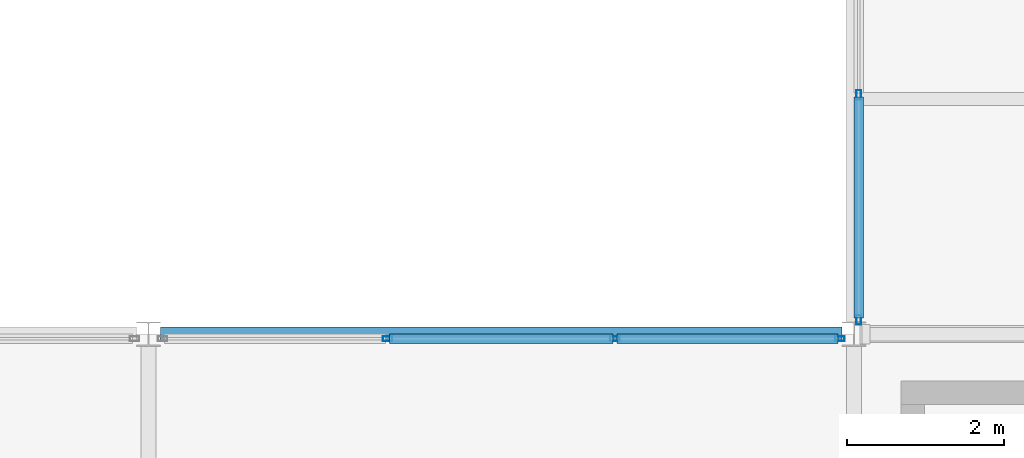
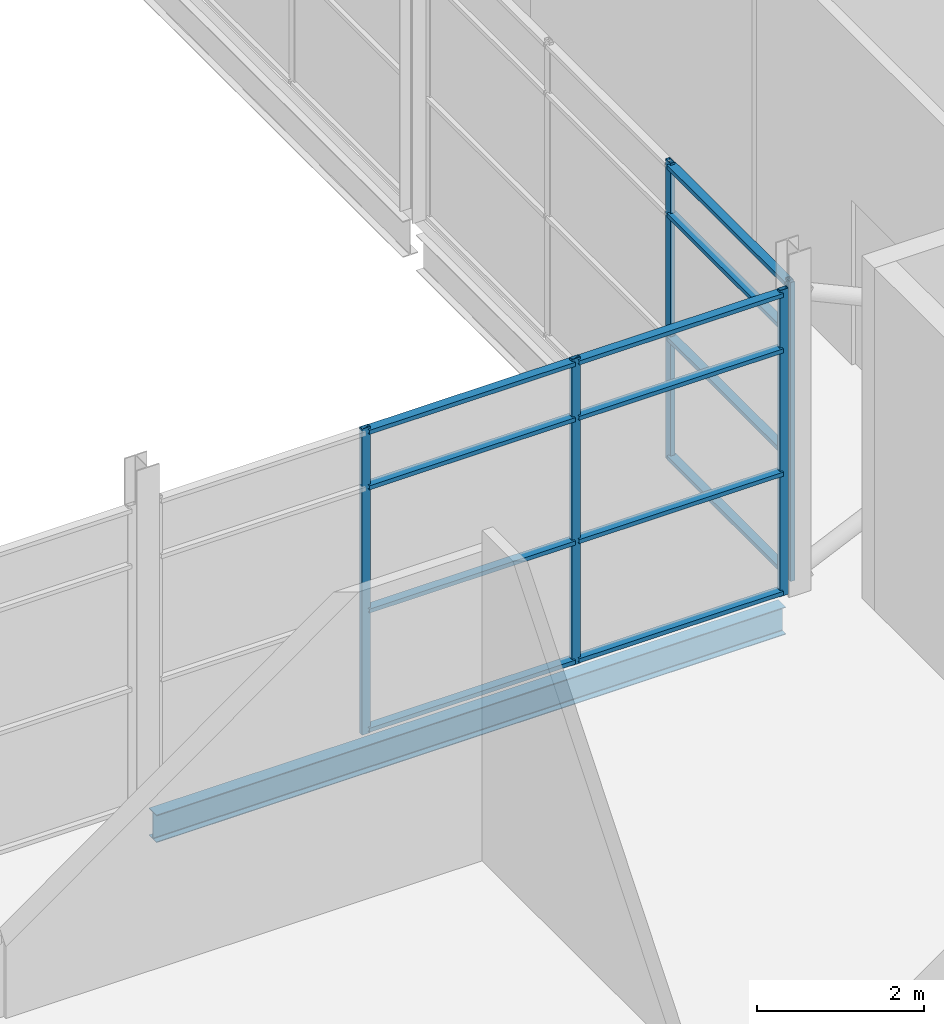
# One storey, part 35 of 61: 17 members, 1 beam, 2 elements without a shape of their own.
"""IFC4 building model written with IfcOpenShell, lengths in metres."""

import ifcopenshell
import ifcopenshell.guid

model = None  # the IFC model being written
_history = None  # IfcOwnerHistory: only IFC2X3 demands one
_inside = {}  # id of a spatial element -> (the spatial element, [elements in it])
_under = {}  # id of a project, library or spatial element -> (it, [spatial elements below it])
_declared = {}  # id of a project -> (the project, [libraries it declares])
_typed = {}  # id of a type object -> (the type object, [elements of that type])
_made_of = {}  # id of a material, layer set ... -> (it, [elements and type objects made of it])


def new_model(schema):
    """Start an empty IFC model of exactly this schema.

    Asked for "IFC4X3", IfcOpenShell would pick the latest addendum, in which some entities
    have other attributes; the version numbers below select the first issue.
    IFC2X3 requires an IfcOwnerHistory on every rooted entity: one is made here for all.
    """
    global model, _history
    if schema == "IFC4X3":
        model = ifcopenshell.file(schema_version=(4, 3, 0, 0))
    else:
        model = ifcopenshell.file(schema=schema)
    _inside.clear()
    _under.clear()
    _declared.clear()
    _typed.clear()
    _made_of.clear()
    _history = None
    if model.schema == "IFC2X3":
        org = make("IfcOrganization", Name="unknown")
        user = make(
            "IfcPersonAndOrganization",
            ThePerson=make("IfcPerson", FamilyName="unknown"),
            TheOrganization=org,
        )
        app = make(
            "IfcApplication",
            ApplicationDeveloper=org,
            Version="unknown",
            ApplicationFullName="unknown",
            ApplicationIdentifier="unknown",
        )
        _history = make(
            "IfcOwnerHistory",
            OwningUser=user,
            OwningApplication=app,
            ChangeAction="ADDED",
            CreationDate=0,
        )
    return model


def make(cls, **values):
    """One entity of the class cls with the attributes given. An attribute that is None is left unset."""
    return model.create_entity(
        cls, **{name: value for name, value in values.items() if value is not None}
    )


def rooted(cls, **values):
    """An entity with a GlobalId (a new one), such as an element, a storey or a relation."""
    return make(cls, GlobalId=ifcopenshell.guid.new(), OwnerHistory=_history, **values)


def si_unit(unit_type, name, prefix=None):
    """IfcSIUnit, for example si_unit("LENGTHUNIT", "METRE", prefix="MILLI")."""
    return make("IfcSIUnit", UnitType=unit_type, Prefix=prefix, Name=name)


def assignment(units):
    """IfcUnitAssignment: the units of a project."""
    return None if units is None else make("IfcUnitAssignment", Units=units)


def point(xyz):
    """IfcCartesianPoint."""
    return None if xyz is None else make("IfcCartesianPoint", Coordinates=xyz)


def direction(xyz):
    """IfcDirection."""
    return None if xyz is None else make("IfcDirection", DirectionRatios=xyz)


def frame(location, z_axis=None, x_axis=None):
    """IfcAxis2Placement3D, a coordinate frame: its origin and axes. An axis left out is left unset."""
    return make(
        "IfcAxis2Placement3D",
        Location=point(location),
        Axis=direction(z_axis),
        RefDirection=direction(x_axis),
    )


def frame_2d(location, x_axis=None):
    """IfcAxis2Placement2D, a coordinate frame in the plane: its origin and x axis."""
    return make(
        "IfcAxis2Placement2D", Location=point(location), RefDirection=direction(x_axis)
    )


def origin():
    """The frame at (0, 0, 0) with its axes left unset."""
    return frame((0.0, 0.0, 0.0))


def origin_2d():
    """The frame at (0, 0) in the plane with its x axis left unset."""
    return frame_2d((0.0, 0.0))


def place(relative_to, where):
    """IfcLocalPlacement: puts the frame where relative to a parent placement (None: the world)."""
    return make(
        "IfcLocalPlacement", PlacementRelTo=relative_to, RelativePlacement=where
    )


def context(
    kind, dimensions, precision=None, world=None, true_north=None, identifier=None
):
    """IfcGeometricRepresentationContext, for example the 3D "Model" context."""
    return make(
        "IfcGeometricRepresentationContext",
        ContextIdentifier=identifier,
        ContextType=kind,
        CoordinateSpaceDimension=dimensions,
        Precision=precision,
        WorldCoordinateSystem=world,
        TrueNorth=true_north,
    )


def subcontext(parent, identifier, kind, view, scale=None):
    """IfcGeometricRepresentationSubContext, for example "Body" below "Model"."""
    return make(
        "IfcGeometricRepresentationSubContext",
        ContextIdentifier=identifier,
        ContextType=kind,
        ParentContext=parent,
        TargetScale=scale,
        TargetView=view,
    )


def project(units=None, contexts=None):
    """IfcProject with its units and contexts."""
    return rooted(
        "IfcProject",
        Name="project",
        RepresentationContexts=contexts,
        UnitsInContext=assignment(units),
    )


def spatial(cls, under=None, at=None, **own):
    """A site, building, storey or space (cls), placed at a placement, below another one or the project."""
    s = rooted(cls, ObjectPlacement=at, **own)
    if under is not None:
        _under.setdefault(under.id(), (under, []))[1].append(s)
    return s


def profile(cls, at=None, kind="AREA", **sizes):
    """A parametric profile (cls). Its sizes go by their IFC names, for example OverallWidth=200.0."""
    return make(cls, ProfileType=kind, Position=at, **sizes)


def hollow_rectangle(**sizes):
    """IfcRectangleHollowProfileDef."""
    return profile("IfcRectangleHollowProfileDef", **sizes)


def i_section(**sizes):
    """IfcIShapeProfileDef."""
    return profile("IfcIShapeProfileDef", **sizes)


def extrude(swept, where, along, depth):
    """IfcExtrudedAreaSolid: the profile swept, set in the frame where, extruded along a direction by depth."""
    return make(
        "IfcExtrudedAreaSolid",
        SweptArea=swept,
        Position=where,
        ExtrudedDirection=direction(along),
        Depth=depth,
    )


def shape(context_of_items, identifier, shape_type, items):
    """IfcShapeRepresentation: the items that make up one representation, for example the "Body"."""
    return make(
        "IfcShapeRepresentation",
        ContextOfItems=context_of_items,
        RepresentationIdentifier=identifier,
        RepresentationType=shape_type,
        Items=items,
    )


def material(Name=None, Category=None):
    """IfcMaterial."""
    return make("IfcMaterial", Name=Name, Category=Category)


def layer(
    of_material, thickness, ventilated=None, Name=None, Category=None, Priority=None
):
    """IfcMaterialLayer: one layer of a wall or slab, of a material (None: an air gap)."""
    return make(
        "IfcMaterialLayer",
        Material=of_material,
        LayerThickness=thickness,
        IsVentilated=ventilated,
        Name=Name,
        Category=Category,
        Priority=Priority,
    )


def layer_set(layers, Name=None):
    """IfcMaterialLayerSet."""
    return make("IfcMaterialLayerSet", MaterialLayers=layers, LayerSetName=Name)


def material_profile(
    of_material, cross_section, Name=None, Category=None, Priority=None
):
    """IfcMaterialProfile: a cross section and its material."""
    return make(
        "IfcMaterialProfile",
        Name=Name,
        Material=of_material,
        Profile=cross_section,
        Priority=Priority,
        Category=Category,
    )


def profile_set(profiles, Name=None, composite=None):
    """IfcMaterialProfileSet."""
    return make(
        "IfcMaterialProfileSet",
        Name=Name,
        MaterialProfiles=profiles,
        CompositeProfile=composite,
    )


def made_of(thing, what):
    """Note that an element or type object is made of a material, layer set ...; save() writes the relation."""
    if what is not None:
        _made_of.setdefault(what.id(), (what, []))[1].append(thing)
    return thing


def type_object(cls, material=None, **own):
    """A type object (cls), such as IfcWallType, which elements share."""
    return made_of(rooted(cls, **own), material)


def element(
    cls,
    number,
    at=None,
    inside=None,
    cuts=None,
    type_object=None,
    material=None,
    context=None,
    identifier="Body",
    shape_type=None,
    held_by="IfcProductDefinitionShape",
    body=None,
    shapes=None,
    **own,
):
    """One element of the class cls, such as IfcWall. Its Tag is "e" and its number.

    at: its placement. inside: the storey or other place that contains it. cuts: it is an
    opening in that element (IfcRelVoidsElement). A single representation is given by context,
    identifier, shape_type and body (its items); several are given by shapes. held_by: the class
    of the entity that holds the representations. save() writes the other relations.
    """
    e = rooted(cls, Tag="e%d" % number, ObjectPlacement=at, **own)
    if body is not None:
        shapes = [shape(context, identifier, shape_type, body)]
    if shapes is not None:
        e.Representation = make(held_by, Representations=shapes)
    if inside is not None:
        _inside.setdefault(inside.id(), (inside, []))[1].append(e)
    if cuts is not None:
        rooted(
            "IfcRelVoidsElement", RelatingBuildingElement=cuts, RelatedOpeningElement=e
        )
    if type_object is not None:
        _typed.setdefault(type_object.id(), (type_object, []))[1].append(e)
    return made_of(e, material)


def aggregate(whole, parts):
    """IfcRelAggregates: a whole, such as a stair, and the parts it consists of."""
    return rooted("IfcRelAggregates", RelatingObject=whole, RelatedObjects=parts)


def save(model, path):
    """Write the relations noted so far, then the file.

    IfcRelAggregates (storeys below a building ...), IfcRelContainedInSpatialStructure (elements
    in a storey), IfcRelDefinesByType, IfcRelAssociatesMaterial and IfcRelDeclares: one each for
    every whole, place, type object, material and project.
    """
    for whole, parts in _under.values():
        aggregate(whole, parts)
    for where, things in _inside.values():
        rooted(
            "IfcRelContainedInSpatialStructure",
            RelatedElements=things,
            RelatingStructure=where,
        )
    for kind, things in _typed.values():
        rooted("IfcRelDefinesByType", RelatedObjects=things, RelatingType=kind)
    for what, things in _made_of.values():
        rooted("IfcRelAssociatesMaterial", RelatedObjects=things, RelatingMaterial=what)
    for by, libraries in _declared.values():
        rooted("IfcRelDeclares", RelatingContext=by, RelatedDefinitions=libraries)
    model.write(path)


model = new_model("IFC4")

# Units and contexts
model_context = context("Model", 3, precision=1e-05, world=origin(), true_north=direction((0.0, 1.0)))
body_context = subcontext(model_context, "Body", "Model", "MODEL_VIEW")
ifc_project = project(units=[si_unit("LENGTHUNIT", "METRE"), si_unit("AREAUNIT", "SQUARE_METRE"), si_unit("VOLUMEUNIT", "CUBIC_METRE"), si_unit("PLANEANGLEUNIT", "RADIAN"), si_unit("MASSUNIT", "GRAM", prefix="KILO")], contexts=[model_context])

# Site, building, storey
site_placement = place(None, origin())
site = spatial("IfcSite", under=ifc_project, at=site_placement, CompositionType="ELEMENT")
building_placement = place(site_placement, origin())
building = spatial("IfcBuilding", under=site, at=building_placement, Name="Shorebreak Coast Museum", CompositionType="ELEMENT")
storey_placement = place(building_placement, frame((0.0, 0.0, 26.0)))
storey = spatial("IfcBuildingStorey", under=building, at=storey_placement, Name="L04", CompositionType="ELEMENT", Elevation=26.0)

# Beam
ifc_material_1 = material(Name="Steel Grade 300", Category="steel")
ifc_material_profile_1 = material_profile(ifc_material_1, i_section(OverallWidth=0.177978515625, OverallDepth=0.402587890625, WebThickness=0.007568359375, FlangeThickness=0.010986328125, FilletRadius=0.011474609375, at=origin_2d()), Name="410UB53.7")
ifc_profile_set_1 = profile_set([ifc_material_profile_1], Name="Steel Grade 300")
beam_type = type_object("IfcBeamType", Name="Floor girder east-west 410UB53.7", PredefinedType="BEAM", material=ifc_profile_set_1)
beam_placement = place(storey_placement, frame((99.154541015625, 63.0, -0.376220703125), z_axis=(1.0, 0.0, 0.0), x_axis=(0.0, 1.0, 0.0)))
element("IfcBeam", 1, at=beam_placement, inside=storey, type_object=beam_type, Name="Floor girder east-west L04 12H", PredefinedType="BEAM", context=body_context, shape_type="SweptSolid", body=[
    extrude(i_section(OverallWidth=0.177978515625, OverallDepth=0.402587890625, WebThickness=0.007568359375, FlangeThickness=0.010986328125, FilletRadius=0.011474609375, at=origin_2d()), origin(), (0.0, 0.0, 1.0), 8.69091796875),
])

# Curtain wall, members
ifc_material_2 = material(Name="Aluminium", Category="aluminium")
ifc_layer = layer(ifc_material_2, 0.1201171875)
ifc_layer_set = layer_set([ifc_layer], Name="Aluminium")
curtain_wall_type = type_object("IfcCurtainWallType", Name="Atrium fire screen", PredefinedType="NOTDEFINED", material=ifc_layer_set)
curtain_wall_1_placement = place(storey_placement, origin())
curtain_wall_1 = element("IfcCurtainWall", 2, at=curtain_wall_1_placement, inside=storey, type_object=curtain_wall_type, Name="Atrium screen L04 S 53", PredefinedType="NOTDEFINED")
ifc_material_3 = material(Name="Aluminium", Category="aluminium")
ifc_material_profile_2 = material_profile(ifc_material_3, hollow_rectangle(XDim=0.06005859375, YDim=0.1201171875, WallThickness=0.00341796875, at=origin_2d()), Name="AL 120x60 RHS")
ifc_profile_set_2 = profile_set([ifc_material_profile_2], Name="Aluminium")
member_type_1 = type_object("IfcMemberType", Name="Screen mullion 50 x 120", PredefinedType="MULLION", material=ifc_profile_set_2)
member_1_placement = place(storey_placement, frame((102.05126953125, 62.93994140625, 0.0), z_axis=(0.0, 0.0, 1.0), x_axis=(0.0, 1.0, 0.0)))
member_1 = element("IfcMember", 3, at=member_1_placement, type_object=member_type_1, Name="CW6 mullion 2", PredefinedType="MULLION", context=body_context, shape_type="SweptSolid", body=[
    extrude(hollow_rectangle(XDim=0.06005859375, YDim=0.1201171875, WallThickness=0.00341796875, at=origin_2d()), origin(), (0.0, 0.0, 1.0), 4.469482421875),
])
member_2_placement = place(storey_placement, frame((104.94873046875, 62.93994140625, 0.0), z_axis=(0.0, 0.0, 1.0), x_axis=(0.0, 1.0, 0.0)))
member_2 = element("IfcMember", 4, at=member_2_placement, type_object=member_type_1, Name="CW6 mullion 3", PredefinedType="MULLION", context=body_context, shape_type="SweptSolid", body=[
    extrude(hollow_rectangle(XDim=0.06005859375, YDim=0.1201171875, WallThickness=0.00341796875, at=origin_2d()), origin(), (0.0, 0.0, 1.0), 4.469482421875),
])
member_3_placement = place(storey_placement, frame((107.821533203125, 62.93994140625, 0.0), z_axis=(0.0, 0.0, 1.0), x_axis=(0.0, 1.0, 0.0)))
member_3 = element("IfcMember", 5, at=member_3_placement, type_object=member_type_1, Name="CW6 mullion 4", PredefinedType="MULLION", context=body_context, shape_type="SweptSolid", body=[
    extrude(hollow_rectangle(XDim=0.06005859375, YDim=0.1201171875, WallThickness=0.00341796875, at=origin_2d()), origin(), (0.0, 0.0, 1.0), 4.469482421875),
])

curtain_wall_2_placement = place(storey_placement, origin())
curtain_wall_2 = element("IfcCurtainWall", 6, at=curtain_wall_2_placement, inside=storey, type_object=curtain_wall_type, Name="Atrium screen L04 E 61", PredefinedType="NOTDEFINED")
member_4_placement = place(storey_placement, frame((108.06005859375, 63.182373046875, 0.0), z_axis=(0.0, 0.0, 1.0), x_axis=(-1.0, 0.0, 0.0)))
member_4 = element("IfcMember", 7, at=member_4_placement, type_object=member_type_1, Name="CW5 mullion 1", PredefinedType="MULLION", context=body_context, shape_type="SweptSolid", body=[
    extrude(hollow_rectangle(XDim=0.06005859375, YDim=0.1201171875, WallThickness=0.00341796875, at=origin_2d()), origin(), (0.0, 0.0, 1.0), 4.364501953125),
])
member_5_placement = place(storey_placement, frame((108.06005859375, 66.052490234375, 0.0), z_axis=(0.0, 0.0, 1.0), x_axis=(-1.0, 0.0, 0.0)))
member_5 = element("IfcMember", 8, at=member_5_placement, type_object=member_type_1, Name="CW5 mullion 2", PredefinedType="MULLION", context=body_context, shape_type="SweptSolid", body=[
    extrude(hollow_rectangle(XDim=0.06005859375, YDim=0.1201171875, WallThickness=0.00341796875, at=origin_2d()), origin(), (0.0, 0.0, 1.0), 4.364501953125),
])

# Member
ifc_material_4 = material(Name="Aluminium", Category="aluminium")
ifc_material_profile_3 = material_profile(ifc_material_4, hollow_rectangle(XDim=0.1201171875, YDim=0.06005859375, WallThickness=0.00341796875, at=origin_2d()), Name="AL 60x120 RHS")
ifc_profile_set_3 = profile_set([ifc_material_profile_3], Name="Aluminium")
member_type_2 = type_object("IfcMemberType", Name="Screen transom 120 x 50", PredefinedType="USERDEFINED", material=ifc_profile_set_3)
member_6_placement = place(storey_placement, frame((102.076171875, 62.93994140625, 0.06005859375), z_axis=(1.0, 0.0, 0.0), x_axis=(0.0, 1.0, 0.0)))
member_6 = element("IfcMember", 9, at=member_6_placement, type_object=member_type_2, Name="CW6 transom 2.1", ObjectType="TRANSOM", PredefinedType="USERDEFINED", context=body_context, shape_type="SweptSolid", body=[
    extrude(hollow_rectangle(XDim=0.1201171875, YDim=0.06005859375, WallThickness=0.00341796875, at=origin_2d()), origin(), (0.0, 0.0, 1.0), 2.84765625),
])

member_7_placement = place(storey_placement, frame((102.076171875, 62.93994140625, 1.800048828125), z_axis=(1.0, 0.0, 0.0), x_axis=(0.0, 1.0, 0.0)))
member_7 = element("IfcMember", 10, at=member_7_placement, type_object=member_type_2, Name="CW6 transom 2.2", ObjectType="TRANSOM", PredefinedType="USERDEFINED", context=body_context, shape_type="SweptSolid", body=[
    extrude(hollow_rectangle(XDim=0.1201171875, YDim=0.06005859375, WallThickness=0.00341796875, at=origin_2d()), origin(), (0.0, 0.0, 1.0), 2.84765625),
])

member_8_placement = place(storey_placement, frame((102.076171875, 62.93994140625, 3.60009765625), z_axis=(1.0, 0.0, 0.0), x_axis=(0.0, 1.0, 0.0)))
member_8 = element("IfcMember", 11, at=member_8_placement, type_object=member_type_2, Name="CW6 transom 2.3", ObjectType="TRANSOM", PredefinedType="USERDEFINED", context=body_context, shape_type="SweptSolid", body=[
    extrude(hollow_rectangle(XDim=0.1201171875, YDim=0.06005859375, WallThickness=0.00341796875, at=origin_2d()), origin(), (0.0, 0.0, 1.0), 2.84765625),
])

member_9_placement = place(storey_placement, frame((102.076171875, 62.93994140625, 4.409423828125), z_axis=(1.0, 0.0, 0.0), x_axis=(0.0, 1.0, 0.0)))
member_9 = element("IfcMember", 12, at=member_9_placement, type_object=member_type_2, Name="CW6 transom 2.4", ObjectType="TRANSOM", PredefinedType="USERDEFINED", context=body_context, shape_type="SweptSolid", body=[
    extrude(hollow_rectangle(XDim=0.1201171875, YDim=0.06005859375, WallThickness=0.00341796875, at=origin_2d()), origin(), (0.0, 0.0, 1.0), 2.84765625),
])

member_10_placement = place(storey_placement, frame((104.973876953125, 62.93994140625, 0.06005859375), z_axis=(1.0, 0.0, 0.0), x_axis=(0.0, 1.0, 0.0)))
member_10 = element("IfcMember", 13, at=member_10_placement, type_object=member_type_2, Name="CW6 transom 3.1", ObjectType="TRANSOM", PredefinedType="USERDEFINED", context=body_context, shape_type="SweptSolid", body=[
    extrude(hollow_rectangle(XDim=0.1201171875, YDim=0.06005859375, WallThickness=0.00341796875, at=origin_2d()), origin(), (0.0, 0.0, 1.0), 2.822509765625),
])

member_11_placement = place(storey_placement, frame((104.973876953125, 62.93994140625, 1.800048828125), z_axis=(1.0, 0.0, 0.0), x_axis=(0.0, 1.0, 0.0)))
member_11 = element("IfcMember", 14, at=member_11_placement, type_object=member_type_2, Name="CW6 transom 3.2", ObjectType="TRANSOM", PredefinedType="USERDEFINED", context=body_context, shape_type="SweptSolid", body=[
    extrude(hollow_rectangle(XDim=0.1201171875, YDim=0.06005859375, WallThickness=0.00341796875, at=origin_2d()), origin(), (0.0, 0.0, 1.0), 2.822509765625),
])

member_12_placement = place(storey_placement, frame((104.973876953125, 62.93994140625, 3.60009765625), z_axis=(1.0, 0.0, 0.0), x_axis=(0.0, 1.0, 0.0)))
member_12 = element("IfcMember", 15, at=member_12_placement, type_object=member_type_2, Name="CW6 transom 3.3", ObjectType="TRANSOM", PredefinedType="USERDEFINED", context=body_context, shape_type="SweptSolid", body=[
    extrude(hollow_rectangle(XDim=0.1201171875, YDim=0.06005859375, WallThickness=0.00341796875, at=origin_2d()), origin(), (0.0, 0.0, 1.0), 2.822509765625),
])

member_13_placement = place(storey_placement, frame((104.973876953125, 62.93994140625, 4.409423828125), z_axis=(1.0, 0.0, 0.0), x_axis=(0.0, 1.0, 0.0)))
member_13 = element("IfcMember", 16, at=member_13_placement, type_object=member_type_2, Name="CW6 transom 3.4", ObjectType="TRANSOM", PredefinedType="USERDEFINED", context=body_context, shape_type="SweptSolid", body=[
    extrude(hollow_rectangle(XDim=0.1201171875, YDim=0.06005859375, WallThickness=0.00341796875, at=origin_2d()), origin(), (0.0, 0.0, 1.0), 2.822509765625),
])

aggregate(curtain_wall_1, [member_1, member_2, member_3, member_6, member_7, member_8, member_9, member_10, member_11, member_12, member_13])

member_14_placement = place(storey_placement, frame((108.06005859375, 63.207275390625, 0.06005859375), z_axis=(0.0, 1.0, 0.0), x_axis=(-1.0, 0.0, 0.0)))
member_14 = element("IfcMember", 17, at=member_14_placement, type_object=member_type_2, Name="CW5 transom 1.1", ObjectType="TRANSOM", PredefinedType="USERDEFINED", context=body_context, shape_type="SweptSolid", body=[
    extrude(hollow_rectangle(XDim=0.1201171875, YDim=0.06005859375, WallThickness=0.00341796875, at=origin_2d()), origin(), (0.0, 0.0, 1.0), 2.820068359375),
])

member_15_placement = place(storey_placement, frame((108.06005859375, 63.207275390625, 1.800048828125), z_axis=(0.0, 1.0, 0.0), x_axis=(-1.0, 0.0, 0.0)))
member_15 = element("IfcMember", 18, at=member_15_placement, type_object=member_type_2, Name="CW5 transom 1.2", ObjectType="TRANSOM", PredefinedType="USERDEFINED", context=body_context, shape_type="SweptSolid", body=[
    extrude(hollow_rectangle(XDim=0.1201171875, YDim=0.06005859375, WallThickness=0.00341796875, at=origin_2d()), origin(), (0.0, 0.0, 1.0), 2.820068359375),
])

member_16_placement = place(storey_placement, frame((108.06005859375, 63.207275390625, 3.60009765625), z_axis=(0.0, 1.0, 0.0), x_axis=(-1.0, 0.0, 0.0)))
member_16 = element("IfcMember", 19, at=member_16_placement, type_object=member_type_2, Name="CW5 transom 1.3", ObjectType="TRANSOM", PredefinedType="USERDEFINED", context=body_context, shape_type="SweptSolid", body=[
    extrude(hollow_rectangle(XDim=0.1201171875, YDim=0.06005859375, WallThickness=0.00341796875, at=origin_2d()), origin(), (0.0, 0.0, 1.0), 2.820068359375),
])

member_17_placement = place(storey_placement, frame((108.06005859375, 63.207275390625, 4.3046875), z_axis=(0.0, 1.0, 0.0), x_axis=(-1.0, 0.0, 0.0)))
member_17 = element("IfcMember", 20, at=member_17_placement, type_object=member_type_2, Name="CW5 transom 1.4", ObjectType="TRANSOM", PredefinedType="USERDEFINED", context=body_context, shape_type="SweptSolid", body=[
    extrude(hollow_rectangle(XDim=0.1201171875, YDim=0.06005859375, WallThickness=0.00341796875, at=origin_2d()), origin(), (0.0, 0.0, 1.0), 2.820068359375),
])

aggregate(curtain_wall_2, [member_4, member_5, member_14, member_15, member_16, member_17])

save(model, "model.ifc")
